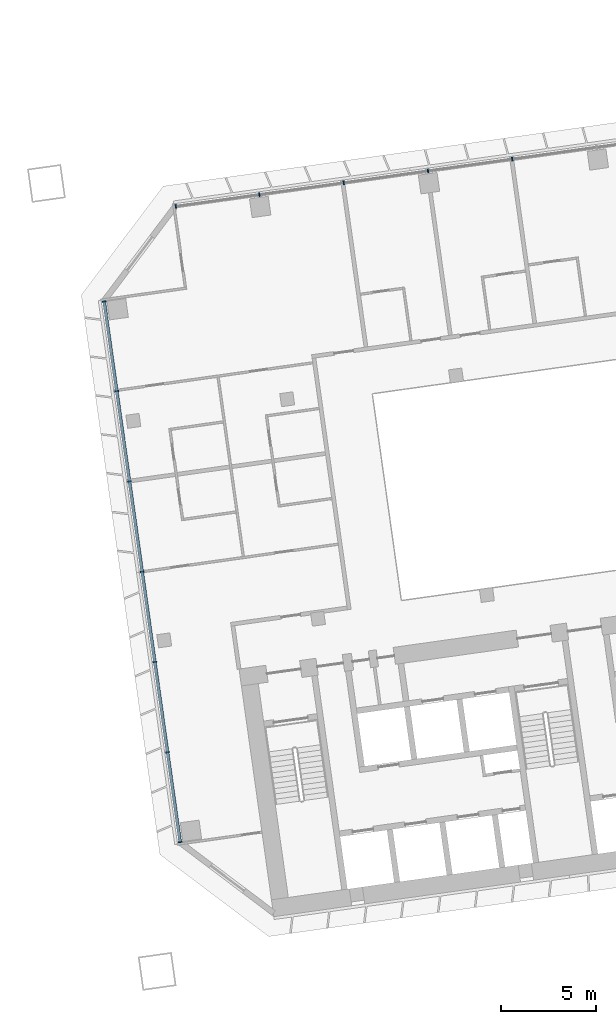
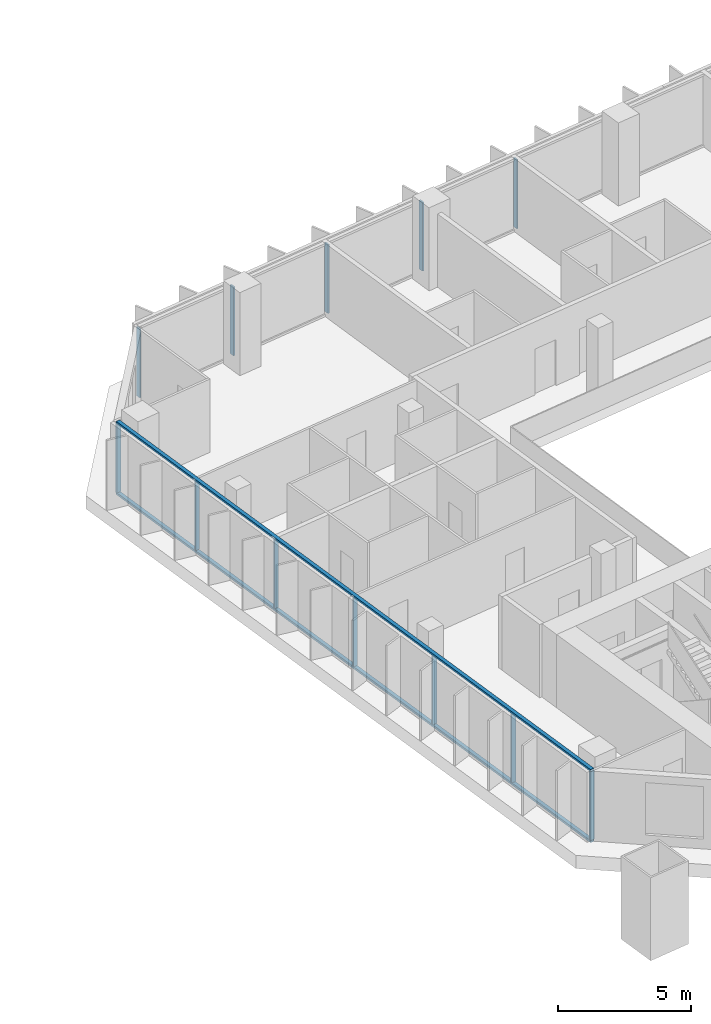
# One storey, part 7 of 25: 14 members, 2 elements without a shape of their own.
"""IFC4 building model written with IfcOpenShell, lengths in metres."""

from ifc_helpers import new_model, si_unit, direction, frame, origin, origin_2d, place, context, subcontext, project, spatial, rectangle, extrude, material, material_profile, profile_set, type_object, element, aggregate, save


model = new_model("IFC4")

# Units and contexts
model_context = context("Model", 3, precision=1e-05, world=origin(), true_north=direction((0.0, 1.0)))
body_context = subcontext(model_context, "Body", "Model", "MODEL_VIEW")
ifc_project = project(units=[si_unit("LENGTHUNIT", "METRE"), si_unit("AREAUNIT", "SQUARE_METRE"), si_unit("VOLUMEUNIT", "CUBIC_METRE"), si_unit("PLANEANGLEUNIT", "RADIAN"), si_unit("MASSUNIT", "GRAM", prefix="KILO")], contexts=[model_context])

# Site, building, storey
site_placement = place(None, origin())
site = spatial("IfcSite", under=ifc_project, at=site_placement, CompositionType="ELEMENT")
building_placement = place(site_placement, origin())
building = spatial("IfcBuilding", under=site, at=building_placement, Name="Mirante Cascada Hotel Towers", CompositionType="ELEMENT")
storey_placement = place(building_placement, frame((0.0, 0.0, 69.9)))
storey = spatial("IfcBuildingStorey", under=building, at=storey_placement, Name="L14", CompositionType="ELEMENT", Elevation=69.9)

# Curtain wall, members
ifc_material_1 = material(Name="Aluminium mullion and transom frame with clear laminated glass", Category="aluminium")
curtain_wall_type_1 = type_object("IfcCurtainWallType", Name="Ribbon curtain wall ECW1", PredefinedType="NOTDEFINED", material=ifc_material_1)
curtain_wall_1_placement = place(storey_placement, origin())
curtain_wall_1 = element("IfcCurtainWall", 1, at=curtain_wall_1_placement, inside=storey, type_object=curtain_wall_type_1, Name="Front ribbon wall T2 L14", PredefinedType="NOTDEFINED")
ifc_material_2 = material(Name="Anodised aluminium extrusion", Category="aluminium")
ifc_material_profile_1 = material_profile(ifc_material_2, rectangle(XDim=0.2, YDim=0.065, at=origin_2d()), Name="ECW1 MULLION 65x200")
ifc_profile_set_1 = profile_set([ifc_material_profile_1], Name="Anodised aluminium extrusion")
member_type_1 = type_object("IfcMemberType", Name="ECW1 mullion 65x200", PredefinedType="MULLION", material=ifc_profile_set_1)
member_1_placement = place(storey_placement, frame((49.684, 19.8017, 0.1), z_axis=(0.0, 0.0, 1.0), x_axis=(0.1391731, -0.9902681, 0.0)))
member_1 = element("IfcMember", 2, at=member_1_placement, type_object=member_type_1, Name="ECW1 mullion 11", PredefinedType="MULLION", context=body_context, shape_type="SweptSolid", body=[
    extrude(rectangle(XDim=0.2, YDim=0.065, at=origin_2d()), origin(), (0.0, 0.0, 1.0), 3.15),
])
member_2_placement = place(storey_placement, frame((45.2366, 19.1766, 0.1), z_axis=(0.0, 0.0, 1.0), x_axis=(0.1391731, -0.9902681, 0.0)))
member_2 = element("IfcMember", 3, at=member_2_placement, type_object=member_type_1, Name="ECW1 mullion 12", PredefinedType="MULLION", context=body_context, shape_type="SweptSolid", body=[
    extrude(rectangle(XDim=0.2, YDim=0.065, at=origin_2d()), origin(), (0.0, 0.0, 1.0), 3.15),
])
member_3_placement = place(storey_placement, frame((40.7892, 18.5516, 0.1), z_axis=(0.0, 0.0, 1.0), x_axis=(0.1391731, -0.9902681, 0.0)))
member_3 = element("IfcMember", 4, at=member_3_placement, type_object=member_type_1, Name="ECW1 mullion 13", PredefinedType="MULLION", context=body_context, shape_type="SweptSolid", body=[
    extrude(rectangle(XDim=0.2, YDim=0.065, at=origin_2d()), origin(), (0.0, 0.0, 1.0), 3.15),
])
member_4_placement = place(storey_placement, frame((36.3417, 17.9265, 0.1), z_axis=(0.0, 0.0, 1.0), x_axis=(0.1391731, -0.9902681, 0.0)))
member_4 = element("IfcMember", 5, at=member_4_placement, type_object=member_type_1, Name="ECW1 mullion 14", PredefinedType="MULLION", context=body_context, shape_type="SweptSolid", body=[
    extrude(rectangle(XDim=0.2, YDim=0.065, at=origin_2d()), origin(), (0.0, 0.0, 1.0), 3.15),
])
member_5_placement = place(storey_placement, frame((31.9265, 17.306, 0.1), z_axis=(0.0, 0.0, 1.0), x_axis=(0.1391731, -0.9902681, 0.0)))
member_5 = element("IfcMember", 6, at=member_5_placement, type_object=member_type_1, Name="ECW1 mullion 15", PredefinedType="MULLION", context=body_context, shape_type="SweptSolid", body=[
    extrude(rectangle(XDim=0.2, YDim=0.065, at=origin_2d()), origin(), (0.0, 0.0, 1.0), 3.15),
])
aggregate(curtain_wall_1, [member_1, member_2, member_3, member_4, member_5])

ifc_material_3 = material(Name="Aluminium mullion and transom frame with clear laminated glass", Category="aluminium")
curtain_wall_type_2 = type_object("IfcCurtainWallType", Name="End ribbon curtain wall ECW2", PredefinedType="NOTDEFINED", material=ifc_material_3)
curtain_wall_2_placement = place(storey_placement, origin())
curtain_wall_2 = element("IfcCurtainWall", 7, at=curtain_wall_2_placement, inside=storey, type_object=curtain_wall_type_2, Name="Inner end wall T2 L14", PredefinedType="NOTDEFINED")
ifc_material_4 = material(Name="Anodised aluminium extrusion", Category="aluminium")
ifc_material_profile_2 = material_profile(ifc_material_4, rectangle(XDim=0.2, YDim=0.065, at=origin_2d()), Name="ECW2 MULLION 65x200")
ifc_profile_set_2 = profile_set([ifc_material_profile_2], Name="Anodised aluminium extrusion")
member_type_2 = type_object("IfcMemberType", Name="ECW2 mullion 65x200", PredefinedType="MULLION", material=ifc_profile_set_2)
member_6_placement = place(storey_placement, frame((28.1437, 12.2861, 0.1), z_axis=(0.0, 0.0, 1.0), x_axis=(0.9902681, 0.1391731, 0.0)))
member_6 = element("IfcMember", 8, at=member_6_placement, type_object=member_type_2, Name="ECW2 mullion 1", PredefinedType="MULLION", context=body_context, shape_type="SweptSolid", body=[
    extrude(rectangle(XDim=0.2, YDim=0.065, at=origin_2d()), origin(), (0.0, 0.0, 1.0), 3.15),
])
member_7_placement = place(storey_placement, frame((28.809, 7.5524, 0.1), z_axis=(0.0, 0.0, 1.0), x_axis=(0.9902681, 0.1391731, 0.0)))
member_7 = element("IfcMember", 9, at=member_7_placement, type_object=member_type_2, Name="ECW2 mullion 2", PredefinedType="MULLION", context=body_context, shape_type="SweptSolid", body=[
    extrude(rectangle(XDim=0.2, YDim=0.065, at=origin_2d()), origin(), (0.0, 0.0, 1.0), 3.15),
])
member_8_placement = place(storey_placement, frame((29.4788, 2.7867, 0.1), z_axis=(0.0, 0.0, 1.0), x_axis=(0.9902681, 0.1391731, 0.0)))
member_8 = element("IfcMember", 10, at=member_8_placement, type_object=member_type_2, Name="ECW2 mullion 3", PredefinedType="MULLION", context=body_context, shape_type="SweptSolid", body=[
    extrude(rectangle(XDim=0.2, YDim=0.065, at=origin_2d()), origin(), (0.0, 0.0, 1.0), 3.15),
])
member_9_placement = place(storey_placement, frame((30.1485, -1.9791, 0.1), z_axis=(0.0, 0.0, 1.0), x_axis=(0.9902681, 0.1391731, 0.0)))
member_9 = element("IfcMember", 11, at=member_9_placement, type_object=member_type_2, Name="ECW2 mullion 4", PredefinedType="MULLION", context=body_context, shape_type="SweptSolid", body=[
    extrude(rectangle(XDim=0.2, YDim=0.065, at=origin_2d()), origin(), (0.0, 0.0, 1.0), 3.15),
])
member_10_placement = place(storey_placement, frame((30.8183, -6.7449, 0.1), z_axis=(0.0, 0.0, 1.0), x_axis=(0.9902681, 0.1391731, 0.0)))
member_10 = element("IfcMember", 12, at=member_10_placement, type_object=member_type_2, Name="ECW2 mullion 5", PredefinedType="MULLION", context=body_context, shape_type="SweptSolid", body=[
    extrude(rectangle(XDim=0.2, YDim=0.065, at=origin_2d()), origin(), (0.0, 0.0, 1.0), 3.15),
])
member_11_placement = place(storey_placement, frame((31.4881, -11.5107, 0.1), z_axis=(0.0, 0.0, 1.0), x_axis=(0.9902681, 0.1391731, 0.0)))
member_11 = element("IfcMember", 13, at=member_11_placement, type_object=member_type_2, Name="ECW2 mullion 6", PredefinedType="MULLION", context=body_context, shape_type="SweptSolid", body=[
    extrude(rectangle(XDim=0.2, YDim=0.065, at=origin_2d()), origin(), (0.0, 0.0, 1.0), 3.15),
])
member_12_placement = place(storey_placement, frame((32.1534, -16.2443, 0.1), z_axis=(0.0, 0.0, 1.0), x_axis=(0.9902681, 0.1391731, 0.0)))
member_12 = element("IfcMember", 14, at=member_12_placement, type_object=member_type_2, Name="ECW2 mullion 7", PredefinedType="MULLION", context=body_context, shape_type="SweptSolid", body=[
    extrude(rectangle(XDim=0.2, YDim=0.065, at=origin_2d()), origin(), (0.0, 0.0, 1.0), 3.15),
])
ifc_material_5 = material(Name="Anodised aluminium extrusion", Category="aluminium")
ifc_material_profile_3 = material_profile(ifc_material_5, rectangle(XDim=0.16, YDim=0.1, at=origin_2d()), Name="ECW2 TRANSOM 100x160")
ifc_profile_set_3 = profile_set([ifc_material_profile_3], Name="Anodised aluminium extrusion")
member_type_3 = type_object("IfcMemberType", Name="ECW2 transom 100x160", PredefinedType="USERDEFINED", material=ifc_profile_set_3)
member_13_placement = place(storey_placement, frame((28.1392, 12.3182, 0.05), z_axis=(0.1391723, -0.9902682, 0.0), x_axis=(0.9902682, 0.1391723, 0.0)))
member_13 = element("IfcMember", 15, at=member_13_placement, type_object=member_type_3, Name="ECW2 sill transom", ObjectType="TRANSOM", PredefinedType="USERDEFINED", context=body_context, shape_type="SweptSolid", body=[
    extrude(rectangle(XDim=0.16, YDim=0.1, at=origin_2d()), origin(), (0.0, 0.0, 1.0), 28.8757),
])
member_14_placement = place(storey_placement, frame((28.1392, 12.3182, 3.3), z_axis=(0.1391723, -0.9902682, 0.0), x_axis=(0.9902682, 0.1391723, 0.0)))
member_14 = element("IfcMember", 16, at=member_14_placement, type_object=member_type_3, Name="ECW2 head transom", ObjectType="TRANSOM", PredefinedType="USERDEFINED", context=body_context, shape_type="SweptSolid", body=[
    extrude(rectangle(XDim=0.16, YDim=0.1, at=origin_2d()), origin(), (0.0, 0.0, 1.0), 28.8757),
])
aggregate(curtain_wall_2, [member_13, member_14, member_6, member_7, member_8, member_9, member_10, member_11, member_12])

save(model, "model.ifc")
